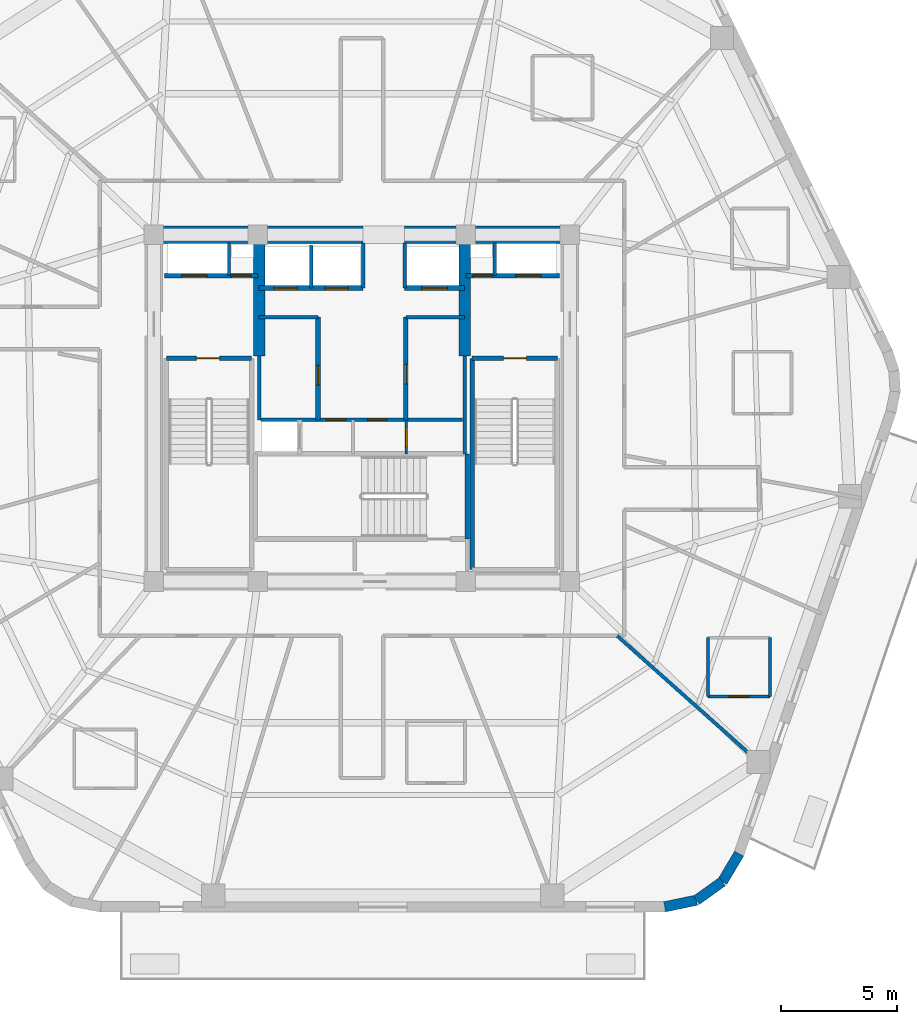
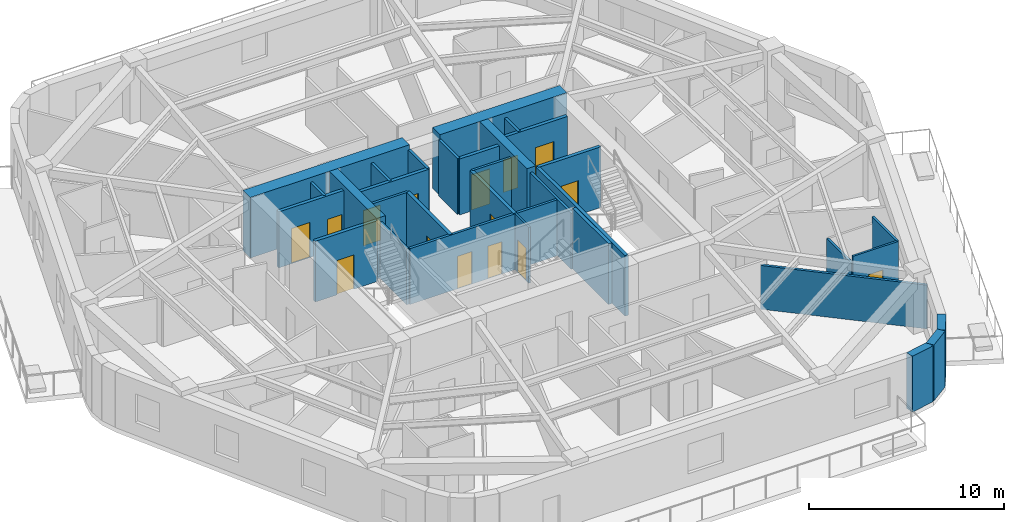
# One storey, part 4 of 9: 32 walls, 15 doors, 15 openings.
"""IFC4 building model written with IfcOpenShell, lengths in metres."""

import ifcopenshell
import ifcopenshell.guid

model = None  # the IFC model being written
_history = None  # IfcOwnerHistory: only IFC2X3 demands one
_inside = {}  # id of a spatial element -> (the spatial element, [elements in it])
_under = {}  # id of a project, library or spatial element -> (it, [spatial elements below it])
_declared = {}  # id of a project -> (the project, [libraries it declares])
_typed = {}  # id of a type object -> (the type object, [elements of that type])
_made_of = {}  # id of a material, layer set ... -> (it, [elements and type objects made of it])


def new_model(schema):
    """Start an empty IFC model of exactly this schema.

    Asked for "IFC4X3", IfcOpenShell would pick the latest addendum, in which some entities
    have other attributes; the version numbers below select the first issue.
    IFC2X3 requires an IfcOwnerHistory on every rooted entity: one is made here for all.
    """
    global model, _history
    if schema == "IFC4X3":
        model = ifcopenshell.file(schema_version=(4, 3, 0, 0))
    else:
        model = ifcopenshell.file(schema=schema)
    _inside.clear()
    _under.clear()
    _declared.clear()
    _typed.clear()
    _made_of.clear()
    _history = None
    if model.schema == "IFC2X3":
        org = make("IfcOrganization", Name="unknown")
        user = make(
            "IfcPersonAndOrganization",
            ThePerson=make("IfcPerson", FamilyName="unknown"),
            TheOrganization=org,
        )
        app = make(
            "IfcApplication",
            ApplicationDeveloper=org,
            Version="unknown",
            ApplicationFullName="unknown",
            ApplicationIdentifier="unknown",
        )
        _history = make(
            "IfcOwnerHistory",
            OwningUser=user,
            OwningApplication=app,
            ChangeAction="ADDED",
            CreationDate=0,
        )
    return model


def make(cls, **values):
    """One entity of the class cls with the attributes given. An attribute that is None is left unset."""
    return model.create_entity(
        cls, **{name: value for name, value in values.items() if value is not None}
    )


def rooted(cls, **values):
    """An entity with a GlobalId (a new one), such as an element, a storey or a relation."""
    return make(cls, GlobalId=ifcopenshell.guid.new(), OwnerHistory=_history, **values)


def si_unit(unit_type, name, prefix=None):
    """IfcSIUnit, for example si_unit("LENGTHUNIT", "METRE", prefix="MILLI")."""
    return make("IfcSIUnit", UnitType=unit_type, Prefix=prefix, Name=name)


def assignment(units):
    """IfcUnitAssignment: the units of a project."""
    return None if units is None else make("IfcUnitAssignment", Units=units)


def point(xyz):
    """IfcCartesianPoint."""
    return None if xyz is None else make("IfcCartesianPoint", Coordinates=xyz)


def direction(xyz):
    """IfcDirection."""
    return None if xyz is None else make("IfcDirection", DirectionRatios=xyz)


def frame(location, z_axis=None, x_axis=None):
    """IfcAxis2Placement3D, a coordinate frame: its origin and axes. An axis left out is left unset."""
    return make(
        "IfcAxis2Placement3D",
        Location=point(location),
        Axis=direction(z_axis),
        RefDirection=direction(x_axis),
    )


def frame_2d(location, x_axis=None):
    """IfcAxis2Placement2D, a coordinate frame in the plane: its origin and x axis."""
    return make(
        "IfcAxis2Placement2D", Location=point(location), RefDirection=direction(x_axis)
    )


def origin():
    """The frame at (0, 0, 0) with its axes left unset."""
    return frame((0.0, 0.0, 0.0))


def place(relative_to, where):
    """IfcLocalPlacement: puts the frame where relative to a parent placement (None: the world)."""
    return make(
        "IfcLocalPlacement", PlacementRelTo=relative_to, RelativePlacement=where
    )


def context(
    kind, dimensions, precision=None, world=None, true_north=None, identifier=None
):
    """IfcGeometricRepresentationContext, for example the 3D "Model" context."""
    return make(
        "IfcGeometricRepresentationContext",
        ContextIdentifier=identifier,
        ContextType=kind,
        CoordinateSpaceDimension=dimensions,
        Precision=precision,
        WorldCoordinateSystem=world,
        TrueNorth=true_north,
    )


def subcontext(parent, identifier, kind, view, scale=None):
    """IfcGeometricRepresentationSubContext, for example "Body" below "Model"."""
    return make(
        "IfcGeometricRepresentationSubContext",
        ContextIdentifier=identifier,
        ContextType=kind,
        ParentContext=parent,
        TargetScale=scale,
        TargetView=view,
    )


def project(units=None, contexts=None):
    """IfcProject with its units and contexts."""
    return rooted(
        "IfcProject",
        Name="project",
        RepresentationContexts=contexts,
        UnitsInContext=assignment(units),
    )


def spatial(cls, under=None, at=None, **own):
    """A site, building, storey or space (cls), placed at a placement, below another one or the project."""
    s = rooted(cls, ObjectPlacement=at, **own)
    if under is not None:
        _under.setdefault(under.id(), (under, []))[1].append(s)
    return s


def profile(cls, at=None, kind="AREA", **sizes):
    """A parametric profile (cls). Its sizes go by their IFC names, for example OverallWidth=200.0."""
    return make(cls, ProfileType=kind, Position=at, **sizes)


def rectangle(**sizes):
    """IfcRectangleProfileDef."""
    return profile("IfcRectangleProfileDef", **sizes)


def extrude(swept, where, along, depth):
    """IfcExtrudedAreaSolid: the profile swept, set in the frame where, extruded along a direction by depth."""
    return make(
        "IfcExtrudedAreaSolid",
        SweptArea=swept,
        Position=where,
        ExtrudedDirection=direction(along),
        Depth=depth,
    )


def shape(context_of_items, identifier, shape_type, items):
    """IfcShapeRepresentation: the items that make up one representation, for example the "Body"."""
    return make(
        "IfcShapeRepresentation",
        ContextOfItems=context_of_items,
        RepresentationIdentifier=identifier,
        RepresentationType=shape_type,
        Items=items,
    )


def material(Name=None, Category=None):
    """IfcMaterial."""
    return make("IfcMaterial", Name=Name, Category=Category)


def layer(
    of_material, thickness, ventilated=None, Name=None, Category=None, Priority=None
):
    """IfcMaterialLayer: one layer of a wall or slab, of a material (None: an air gap)."""
    return make(
        "IfcMaterialLayer",
        Material=of_material,
        LayerThickness=thickness,
        IsVentilated=ventilated,
        Name=Name,
        Category=Category,
        Priority=Priority,
    )


def layer_set(layers, Name=None):
    """IfcMaterialLayerSet."""
    return make("IfcMaterialLayerSet", MaterialLayers=layers, LayerSetName=Name)


def made_of(thing, what):
    """Note that an element or type object is made of a material, layer set ...; save() writes the relation."""
    if what is not None:
        _made_of.setdefault(what.id(), (what, []))[1].append(thing)
    return thing


def type_object(cls, material=None, **own):
    """A type object (cls), such as IfcWallType, which elements share."""
    return made_of(rooted(cls, **own), material)


def element(
    cls,
    number,
    at=None,
    inside=None,
    cuts=None,
    type_object=None,
    material=None,
    context=None,
    identifier="Body",
    shape_type=None,
    held_by="IfcProductDefinitionShape",
    body=None,
    shapes=None,
    **own,
):
    """One element of the class cls, such as IfcWall. Its Tag is "e" and its number.

    at: its placement. inside: the storey or other place that contains it. cuts: it is an
    opening in that element (IfcRelVoidsElement). A single representation is given by context,
    identifier, shape_type and body (its items); several are given by shapes. held_by: the class
    of the entity that holds the representations. save() writes the other relations.
    """
    e = rooted(cls, Tag="e%d" % number, ObjectPlacement=at, **own)
    if body is not None:
        shapes = [shape(context, identifier, shape_type, body)]
    if shapes is not None:
        e.Representation = make(held_by, Representations=shapes)
    if inside is not None:
        _inside.setdefault(inside.id(), (inside, []))[1].append(e)
    if cuts is not None:
        rooted(
            "IfcRelVoidsElement", RelatingBuildingElement=cuts, RelatedOpeningElement=e
        )
    if type_object is not None:
        _typed.setdefault(type_object.id(), (type_object, []))[1].append(e)
    return made_of(e, material)


def fill(opening, filler):
    """IfcRelFillsElement: the door or window that sits in an opening."""
    return rooted(
        "IfcRelFillsElement",
        RelatingOpeningElement=opening,
        RelatedBuildingElement=filler,
    )


def aggregate(whole, parts):
    """IfcRelAggregates: a whole, such as a stair, and the parts it consists of."""
    return rooted("IfcRelAggregates", RelatingObject=whole, RelatedObjects=parts)


def save(model, path):
    """Write the relations noted so far, then the file.

    IfcRelAggregates (storeys below a building ...), IfcRelContainedInSpatialStructure (elements
    in a storey), IfcRelDefinesByType, IfcRelAssociatesMaterial and IfcRelDeclares: one each for
    every whole, place, type object, material and project.
    """
    for whole, parts in _under.values():
        aggregate(whole, parts)
    for where, things in _inside.values():
        rooted(
            "IfcRelContainedInSpatialStructure",
            RelatedElements=things,
            RelatingStructure=where,
        )
    for kind, things in _typed.values():
        rooted("IfcRelDefinesByType", RelatedObjects=things, RelatingType=kind)
    for what, things in _made_of.values():
        rooted("IfcRelAssociatesMaterial", RelatedObjects=things, RelatingMaterial=what)
    for by, libraries in _declared.values():
        rooted("IfcRelDeclares", RelatingContext=by, RelatedDefinitions=libraries)
    model.write(path)


model = new_model("IFC4")

# Units and contexts
model_context = context("Model", 3, precision=1e-05, world=origin(), true_north=direction((0.0, 1.0)))
body_context = subcontext(model_context, "Body", "Model", "MODEL_VIEW")
ifc_project = project(units=[si_unit("LENGTHUNIT", "METRE"), si_unit("AREAUNIT", "SQUARE_METRE"), si_unit("VOLUMEUNIT", "CUBIC_METRE"), si_unit("PLANEANGLEUNIT", "RADIAN"), si_unit("MASSUNIT", "GRAM", prefix="KILO")], contexts=[model_context])

# Site, building, storey
site_placement = place(None, origin())
site = spatial("IfcSite", under=ifc_project, at=site_placement, CompositionType="ELEMENT")
building_placement = place(site_placement, origin())
building = spatial("IfcBuilding", under=site, at=building_placement, Name="Kilnhurst Terrace Hotel", CompositionType="ELEMENT")
storey_placement = place(building_placement, frame((0.0, 0.0, 221.699951171875)))
storey = spatial("IfcBuildingStorey", under=building, at=storey_placement, Name="L55", CompositionType="ELEMENT", Elevation=221.699951171875)

# Walls
ifc_material_1 = material(Name="Precast concrete C40/50", Category="concrete")
ifc_layer_1 = layer(ifc_material_1, 0.449951171875, Name="Precast concrete C40/50")
ifc_layer_set_1 = layer_set([ifc_layer_1], Name="Precast concrete C40/50")
wall_type_1 = type_object("IfcWallType", Name="WL-BRK-450", PredefinedType="SOLIDWALL", material=ifc_layer_set_1)
wall_1_placement = place(storey_placement, frame((13.1015625, -21.574951171875, 0.0), z_axis=(0.0, 0.0, 1.0), x_axis=(0.978757421505, 0.205021730188, 0.0)))
element("IfcWall", 1, at=wall_1_placement, inside=storey, type_object=wall_type_1, Name="L55 Rounded Corner Brick Wall C2.1", PredefinedType="SOLIDWALL", context=body_context, shape_type="SweptSolid", body=[
    extrude(rectangle(XDim=1.40625, YDim=0.449951171875, at=frame_2d((0.703125, 0.0))), origin(), (0.0, 0.0, 1.0), 3.5),
])
wall_2_placement = place(storey_placement, frame((14.47802734375, -21.28662109375, 0.0), z_axis=(0.0, 0.0, 1.0), x_axis=(0.813888518617, 0.58102106611, 0.0)))
element("IfcWall", 2, at=wall_2_placement, inside=storey, type_object=wall_type_1, Name="L55 Rounded Corner Brick Wall C2.2", PredefinedType="SOLIDWALL", context=body_context, shape_type="SweptSolid", body=[
    extrude(rectangle(XDim=1.3828125, YDim=0.449951171875, at=frame_2d((0.69140625, 0.0))), origin(), (0.0, 0.0, 1.0), 3.5),
])
wall_3_placement = place(storey_placement, frame((15.603515625, -20.483154296875, 0.0), z_axis=(0.0, 0.0, 1.0), x_axis=(0.512222149036, 0.858852996756, 0.0)))
element("IfcWall", 3, at=wall_3_placement, inside=storey, type_object=wall_type_1, Name="L55 Rounded Corner Brick Wall C2.3", PredefinedType="SOLIDWALL", context=body_context, shape_type="SweptSolid", body=[
    extrude(rectangle(XDim=1.406494140625, YDim=0.449951171875, at=frame_2d((0.703125, 0.0))), origin(), (0.0, 0.0, 1.0), 3.5),
])
ifc_material_2 = material(Name="Concrete C60/75", Category="concrete")
ifc_layer_2 = layer(ifc_material_2, 0.75, Name="Concrete C60/75")
ifc_layer_set_2 = layer_set([ifc_layer_2], Name="Concrete C60/75")
wall_type_2 = type_object("IfcWallType", Name="WL-CORE-750", PredefinedType="SHEAR", material=ifc_layer_set_2)
wall_4_placement = place(storey_placement, frame((-9.375, 7.5, 0.0), z_axis=(0.0, 0.0, 1.0), x_axis=(1.0, 0.0, 0.0)))
element("IfcWall", 4, at=wall_4_placement, inside=storey, type_object=wall_type_2, Name="L55 Core North West Shear Wall", PredefinedType="SHEAR", context=body_context, shape_type="SweptSolid", body=[
    extrude(rectangle(XDim=9.425048828125, YDim=0.75, at=frame_2d((4.71240234375, 0.0))), origin(), (0.0, 0.0, 1.0), 3.800048828125),
])
wall_5_placement = place(storey_placement, frame((1.85009765625, 7.5, 0.0), z_axis=(0.0, 0.0, 1.0), x_axis=(1.0, 0.0, 0.0)))
element("IfcWall", 5, at=wall_5_placement, inside=storey, type_object=wall_type_2, Name="L55 Core North East Shear Wall", PredefinedType="SHEAR", context=body_context, shape_type="SweptSolid", body=[
    extrude(rectangle(XDim=7.52490234375, YDim=0.75, at=frame_2d((3.762451171875, 0.0))), origin(), (0.0, 0.0, 1.0), 3.800048828125),
])
ifc_layer_3 = layer(ifc_material_2, 0.5, Name="Concrete C60/75")
ifc_layer_set_3 = layer_set([ifc_layer_3], Name="Concrete C60/75")
wall_type_3 = type_object("IfcWallType", Name="WL-CORE-WEB-500", PredefinedType="SHEAR", material=ifc_layer_set_3)
for number, where, z_axis, x_axis, name in (
    (6, (-4.449951171875, 2.25, 0.0), (0.0, 0.0, 1.0), (0.0, 1.0, 0.0), "L55 Core Internal West Shear Web"),
    (7, (4.449951171875, 2.25, 0.0), (0.0, 0.0, 1.0), (0.0, 1.0, 0.0), "L55 Core Internal East Shear Web"),
):
    element("IfcWall", number, at=place(storey_placement, frame(where, z_axis=z_axis, x_axis=x_axis)), inside=storey, type_object=wall_type_3, Name=name, PredefinedType="SHEAR", context=body_context, shape_type="SweptSolid", body=[
        extrude(rectangle(XDim=4.875, YDim=0.5, at=frame_2d((2.4375, 0.0))), origin(), (0.0, 0.0, 1.0), 3.800048828125),
    ])
ifc_material_3 = material(Name="STC-58 Acoustic Twin-Frame Guestroom Demising Partition")
ifc_layer_4 = layer(ifc_material_3, 0.14990234375, Name="STC-58 Acoustic Twin-Frame Guestroom Demising Partition")
ifc_layer_set_4 = layer_set([ifc_layer_4], Name="STC-58 Acoustic Twin-Frame Guestroom Demising Partition")
wall_type_4 = type_object("IfcWallType", Name="WL-DEM-150", PredefinedType="PARTITIONING", material=ifc_layer_set_4)
wall_6_placement = place(storey_placement, frame((11.04833984375, -9.85009765625, 0.0), z_axis=(0.0, 0.0, 1.0), x_axis=(0.746444434655, -0.665447748492, 0.0)))
element("IfcWall", 8, at=wall_6_placement, inside=storey, type_object=wall_type_4, Name="L55 Interior Wall WL-L55-DEM-COL11-16-1", PredefinedType="PARTITIONING", context=body_context, shape_type="SweptSolid", body=[
    extrude(rectangle(XDim=8.732177734375, YDim=0.14990234375, at=frame_2d((4.3662109375, 0.0))), origin(), (0.0, 0.0, 1.0), 2.739990234375),
])

# Wall, opening, door
ifc_material_4 = material(Name="120 mm Moisture-Resistant Tile-Backed Bathroom Partition")
ifc_layer_5 = layer(ifc_material_4, 0.1201171875, Name="120 mm Moisture-Resistant Tile-Backed Bathroom Partition")
ifc_layer_set_5 = layer_set([ifc_layer_5], Name="120 mm Moisture-Resistant Tile-Backed Bathroom Partition")
wall_type_5 = type_object("IfcWallType", Name="WL-PART-120", PredefinedType="PARTITIONING", material=ifc_layer_set_5)
wall_7_placement = place(storey_placement, frame((1.919921875, -1.971923828125, 0.0), z_axis=(0.0, 0.0, 1.0), x_axis=(0.0, 1.0, 0.0)))
wall_7 = element("IfcWall", 9, at=wall_7_placement, inside=storey, type_object=wall_type_5, Name="L55 Interior Wall WL-L55-BOH-C2", PredefinedType="PARTITIONING", context=body_context, shape_type="SweptSolid", body=[
    extrude(rectangle(XDim=1.471923828125, YDim=0.1201171875, at=frame_2d((0.73583984375, 0.0))), origin(), (0.0, 0.0, 1.0), 3.5),
])
opening_1_placement = place(wall_7_placement, frame((0.300048828125, 0.0, 0.0)))
opening_1 = element("IfcOpeningElement", 10, at=opening_1_placement, cuts=wall_7, Name="Opening D-08A", PredefinedType="OPENING", context=body_context, shape_type="SweptSolid", body=[
    extrude(rectangle(XDim=0.85009765625, YDim=2.030029296875, at=frame_2d((0.425048828125, 1.01513671875))), frame((0.0, 0.070068359375, 0.0), z_axis=(0.0, -1.0, 0.0), x_axis=(1.0, 0.0, 0.0)), (0.0, 0.0, 1.0), 0.14013671875),
])
ifc_material_5 = material(Name="Moisture-Resistant Lacquered En-suite Bathroom Door")
door_type_1 = type_object("IfcDoorType", Name="DR-INT-850", OperationType="NOTDEFINED", PredefinedType="DOOR", material=ifc_material_5)
door_1_placement = place(opening_1_placement, origin())
door_1 = element("IfcDoor", 11, at=door_1_placement, inside=storey, type_object=door_type_1, Name="L55 Staff Restroom Door", OperationType="SINGLE_SWING_RIGHT", OverallHeight=2.030029296875, OverallWidth=0.85009765625, PredefinedType="DOOR", context=body_context, shape_type="SweptSolid", body=[
    extrude(rectangle(XDim=0.85009765625, YDim=2.030029296875, at=frame_2d((0.425048828125, 1.01513671875))), frame((0.0, 0.02490234375, 0.0), z_axis=(0.0, -1.0, 0.0), x_axis=(1.0, 0.0, 0.0)), (0.0, 0.0, 1.0), 0.050048828125),
])
fill(opening_1, door_1)

wall_8_placement = place(storey_placement, frame((14.97705078125, -12.468017578125, 0.0), z_axis=(0.0, 0.0, 1.0), x_axis=(1.0, 0.0, 0.0)))
wall_8 = element("IfcWall", 12, at=wall_8_placement, inside=storey, type_object=wall_type_5, Name="L55 Interior Wall WL-L55-BTH-16-1", PredefinedType="PARTITIONING", context=body_context, shape_type="SweptSolid", body=[
    extrude(rectangle(XDim=2.679931640625, YDim=0.1201171875, at=frame_2d((1.33984375, 0.0))), origin(), (0.0, 0.0, 1.0), 3.5),
])
opening_2_placement = place(wall_8_placement, frame((0.9150390625, 0.0, 0.0)))
opening_2 = element("IfcOpeningElement", 13, at=opening_2_placement, cuts=wall_8, Name="Opening D-08A", PredefinedType="OPENING", context=body_context, shape_type="SweptSolid", body=[
    extrude(rectangle(XDim=0.85009765625, YDim=2.030029296875, at=frame_2d((0.425048828125, 1.01513671875))), frame((0.0, 0.070068359375, 0.0), z_axis=(0.0, -1.0, 0.0), x_axis=(1.0, 0.0, 0.0)), (0.0, 0.0, 1.0), 0.14013671875),
])
door_2_placement = place(opening_2_placement, origin())
door_2 = element("IfcDoor", 14, at=door_2_placement, inside=storey, type_object=door_type_1, Name="L55 En-suite Bathroom Door 16", OperationType="SINGLE_SWING_LEFT", OverallHeight=2.030029296875, OverallWidth=0.85009765625, PredefinedType="DOOR", context=body_context, shape_type="SweptSolid", body=[
    extrude(rectangle(XDim=0.85009765625, YDim=2.030029296875, at=frame_2d((0.425048828125, 1.01513671875))), frame((0.0, 0.02490234375, 0.0), z_axis=(0.0, -1.0, 0.0), x_axis=(1.0, 0.0, 0.0)), (0.0, 0.0, 1.0), 0.050048828125),
])
fill(opening_2, door_2)

# Walls
wall_9_placement = place(storey_placement, frame((17.656982421875, -12.468017578125, 0.0), z_axis=(0.0, 0.0, 1.0), x_axis=(0.0, 1.0, 0.0)))
element("IfcWall", 15, at=wall_9_placement, inside=storey, type_object=wall_type_5, Name="L55 Interior Wall WL-L55-BTH-16-2", PredefinedType="PARTITIONING", context=body_context, shape_type="SweptSolid", body=[
    extrude(rectangle(XDim=2.5400390625, YDim=0.1201171875, at=frame_2d((1.27001953125, 0.0))), origin(), (0.0, 0.0, 1.0), 3.5),
])
wall_10_placement = place(storey_placement, frame((14.97705078125, -9.927978515625, 0.0), z_axis=(0.0, 0.0, 1.0), x_axis=(0.0, -1.0, 0.0)))
element("IfcWall", 16, at=wall_10_placement, inside=storey, type_object=wall_type_5, Name="L55 Interior Wall WL-L55-BTH-16-4", PredefinedType="PARTITIONING", context=body_context, shape_type="SweptSolid", body=[
    extrude(rectangle(XDim=2.5400390625, YDim=0.1201171875, at=frame_2d((1.27001953125, 0.0))), origin(), (0.0, 0.0, 1.0), 3.072509765625),
])
ifc_material_6 = material(Name="Fire-Rated Gypsum Shaftliner Assembly")
ifc_layer_6 = layer(ifc_material_6, 0.14990234375, Name="Fire-Rated Gypsum Shaftliner Assembly")
ifc_layer_set_6 = layer_set([ifc_layer_6], Name="Fire-Rated Gypsum Shaftliner Assembly")
wall_type_6 = type_object("IfcWallType", Name="WL-SHAFT-150", PredefinedType="PARTITIONING", material=ifc_layer_set_6)
for number, where, z_axis, x_axis, name in (
    (17, (-5.75, 5.739990234375, 0.0), (0.0, 0.0, 1.0), (0.0, 1.0, 0.0), "L55 Interior Wall WL-L55-RIS1-DIV"),
    (18, (5.75, 5.739990234375, 0.0), (0.0, 0.0, 1.0), (0.0, 1.0, 0.0), "L55 Interior Wall WL-L55-RIS2-DIV"),
):
    element("IfcWall", number, at=place(storey_placement, frame(where, z_axis=z_axis, x_axis=x_axis)), inside=storey, type_object=wall_type_6, Name=name, PredefinedType="PARTITIONING", context=body_context, shape_type="SweptSolid", body=[
        extrude(rectangle(XDim=1.409912109375, YDim=0.14990234375, at=frame_2d((0.705078125, 0.0))), origin(), (0.0, 0.0, 1.0), 3.5),
    ])
wall_11_placement = place(storey_placement, frame((-2.199951171875, 5.199951171875, 0.0), z_axis=(0.0, 0.0, 1.0), x_axis=(0.0, 1.0, 0.0)))
element("IfcWall", 19, at=wall_11_placement, inside=storey, type_object=wall_type_6, Name="L55 Interior Wall WL-L55-HR-DIV1", PredefinedType="PARTITIONING", context=body_context, shape_type="SweptSolid", body=[
    extrude(rectangle(XDim=1.85009765625, YDim=0.14990234375, at=frame_2d((0.925048828125, 0.0))), origin(), (0.0, 0.0, 1.0), 3.5),
])
for number, where, z_axis, x_axis, name in (
    (20, (0.050048828125, 5.199951171875, 0.0), (0.0, 0.0, 1.0), (0.0, 1.0, 0.0), "L55 Interior Wall WL-L55-HR-PORTAL-W"),
    (21, (1.85009765625, 5.199951171875, 0.0), (0.0, 0.0, 1.0), (0.0, 1.0, 0.0), "L55 Interior Wall WL-L55-HR-PORTAL-E"),
):
    element("IfcWall", number, at=place(storey_placement, frame(where, z_axis=z_axis, x_axis=x_axis)), inside=storey, type_object=wall_type_6, Name=name, PredefinedType="PARTITIONING", context=body_context, shape_type="SweptSolid", body=[
        extrude(rectangle(XDim=1.949951171875, YDim=0.14990234375, at=frame_2d((0.97509765625, 0.0))), origin(), (0.0, 0.0, 1.0), 3.5),
    ])
wall_12_placement = place(storey_placement, frame((-4.449951171875, -0.5, 0.0), z_axis=(0.0, 0.0, 1.0), x_axis=(0.0, 1.0, 0.0)))
element("IfcWall", 22, at=wall_12_placement, inside=storey, type_object=wall_type_6, Name="L55 Interior Wall WL-L55-XLOB-W", PredefinedType="PARTITIONING", context=body_context, shape_type="SweptSolid", body=[
    extrude(rectangle(XDim=2.75, YDim=0.14990234375, at=frame_2d((1.375, 0.0))), origin(), (0.0, 0.0, 1.0), 3.5),
])
wall_13_placement = place(storey_placement, frame((4.449951171875, -1.971923828125, 0.0), z_axis=(0.0, 0.0, 1.0), x_axis=(0.0, 1.0, 0.0)))
element("IfcWall", 23, at=wall_13_placement, inside=storey, type_object=wall_type_6, Name="L55 Interior Wall WL-L55-XLOB-E", PredefinedType="PARTITIONING", context=body_context, shape_type="SweptSolid", body=[
    extrude(rectangle(XDim=4.221923828125, YDim=0.14990234375, at=frame_2d((2.11083984375, 0.0))), origin(), (0.0, 0.0, 1.0), 3.5),
])
for number, where, z_axis, x_axis, name in (
    (24, (-4.449951171875, 3.93994140625, 0.0), (0.0, 0.0, 1.0), (1.0, 0.0, 0.0), "L55 Interior Wall WL-L55-LR-NORTH"),
    (25, (1.89990234375, 3.93994140625, 0.0), (0.0, 0.0, 1.0), (1.0, 0.0, 0.0), "L55 Interior Wall WL-L55-MR-NORTH"),
):
    element("IfcWall", number, at=place(storey_placement, frame(where, z_axis=z_axis, x_axis=x_axis)), inside=storey, type_object=wall_type_6, Name=name, PredefinedType="PARTITIONING", context=body_context, shape_type="SweptSolid", body=[
        extrude(rectangle(XDim=2.550048828125, YDim=0.14990234375, at=frame_2d((1.27490234375, 0.0))), origin(), (0.0, 0.0, 1.0), 3.5),
    ])

# Wall, openings, doors
wall_14_placement = place(storey_placement, frame((-4.360107421875, -0.489990234375, 0.0), z_axis=(0.0, 0.0, 1.0), x_axis=(1.0, 0.0, 0.0)))
wall_14 = element("IfcWall", 26, at=wall_14_placement, inside=storey, type_object=wall_type_6, Name="L55 Interior Wall WL-L55-BOH-N", PredefinedType="PARTITIONING", context=body_context, shape_type="SweptSolid", body=[
    extrude(rectangle(XDim=8.72021484375, YDim=0.14990234375, at=frame_2d((4.360107421875, 0.0))), origin(), (0.0, 0.0, 1.0), 3.5),
])
opening_3_placement = place(wall_14_placement, frame((2.81005859375, 0.0, 0.0)))
opening_3 = element("IfcOpeningElement", 27, at=opening_3_placement, cuts=wall_14, Name="Opening D-60D", PredefinedType="OPENING", context=body_context, shape_type="SweptSolid", body=[
    extrude(rectangle(XDim=0.85009765625, YDim=2.030029296875, at=frame_2d((0.425048828125, 1.01513671875))), frame((0.0, 0.0849609375, 0.0), z_axis=(0.0, -1.0, 0.0), x_axis=(1.0, 0.0, 0.0)), (0.0, 0.0, 1.0), 0.169921875),
])
opening_4_placement = place(wall_14_placement, frame((4.610107421875, 0.0, 0.0)))
opening_4 = element("IfcOpeningElement", 28, at=opening_4_placement, cuts=wall_14, Name="Opening D-60D", PredefinedType="OPENING", context=body_context, shape_type="SweptSolid", body=[
    extrude(rectangle(XDim=0.85009765625, YDim=2.030029296875, at=frame_2d((0.425048828125, 1.01513671875))), frame((0.0, 0.0849609375, 0.0), z_axis=(0.0, -1.0, 0.0), x_axis=(1.0, 0.0, 0.0)), (0.0, 0.0, 1.0), 0.169921875),
])
ifc_material_7 = material(Name="Painted Hollow Metal Steel ASTM A36 Riser Door", Category="steel")
door_type_2 = type_object("IfcDoorType", Name="DR-FD60-850", OperationType="NOTDEFINED", PredefinedType="DOOR", material=ifc_material_7)
door_3_placement = place(opening_3_placement, origin())
door_3 = element("IfcDoor", 29, at=door_3_placement, inside=storey, type_object=door_type_2, Name="L55 Housekeeping Station Door", OperationType="SINGLE_SWING_LEFT", OverallHeight=2.030029296875, OverallWidth=0.85009765625, PredefinedType="DOOR", context=body_context, shape_type="SweptSolid", body=[
    extrude(rectangle(XDim=0.85009765625, YDim=2.030029296875, at=frame_2d((0.425048828125, 1.01513671875))), frame((0.0, 0.02490234375, 0.0), z_axis=(0.0, -1.0, 0.0), x_axis=(1.0, 0.0, 0.0)), (0.0, 0.0, 1.0), 0.050048828125),
])
fill(opening_3, door_3)
door_4_placement = place(opening_4_placement, origin())
door_4 = element("IfcDoor", 30, at=door_4_placement, inside=storey, type_object=door_type_2, Name="L55 Beverage Pantry Door", OperationType="SINGLE_SWING_RIGHT", OverallHeight=2.030029296875, OverallWidth=0.85009765625, PredefinedType="DOOR", context=body_context, shape_type="SweptSolid", body=[
    extrude(rectangle(XDim=0.85009765625, YDim=2.030029296875, at=frame_2d((0.425048828125, 1.01513671875))), frame((0.0, 0.02490234375, 0.0), z_axis=(0.0, -1.0, 0.0), x_axis=(1.0, 0.0, 0.0)), (0.0, 0.0, 1.0), 0.050048828125),
])
fill(opening_4, door_4)

ifc_material_8 = material(Name="Autoclaved Aerated Concrete C30/37 and Gypsum Shaft Assembly", Category="concrete")
ifc_layer_7 = layer(ifc_material_8, 0.199951171875, Name="Autoclaved Aerated Concrete C30/37 and Gypsum Shaft Assembly")
ifc_layer_set_7 = layer_set([ifc_layer_7], Name="Autoclaved Aerated Concrete C30/37 and Gypsum Shaft Assembly")
wall_type_7 = type_object("IfcWallType", Name="WL-SHAFT-200", PredefinedType="PARTITIONING", material=ifc_layer_set_7)
wall_15_placement = place(storey_placement, frame((-8.550048828125, 5.739990234375, 0.0), z_axis=(0.0, 0.0, 1.0), x_axis=(1.0, 0.0, 0.0)))
wall_15 = element("IfcWall", 31, at=wall_15_placement, inside=storey, type_object=wall_type_7, Name="L55 Interior Wall WL-L55-FSAE1-S", PredefinedType="PARTITIONING", context=body_context, shape_type="SweptSolid", body=[
    extrude(rectangle(XDim=4.050048828125, YDim=0.199951171875, at=frame_2d((2.02490234375, 0.0))), origin(), (0.0, 0.0, 1.0), 3.5),
])
opening_5_placement = place(wall_15_placement, frame((0.75, 0.0, 0.0)))
opening_5 = element("IfcOpeningElement", 32, at=opening_5_placement, cuts=wall_15, Name="Opening LD-F1", PredefinedType="OPENING", context=body_context, shape_type="SweptSolid", body=[
    extrude(rectangle(XDim=1.10009765625, YDim=2.199951171875, at=frame_2d((0.550048828125, 1.10009765625))), frame((0.0, 0.10986328125, 0.0), z_axis=(0.0, -1.0, 0.0), x_axis=(1.0, 0.0, 0.0)), (0.0, 0.0, 1.0), 0.219970703125),
])
opening_6_placement = place(wall_15_placement, frame((2.89990234375, 0.0, 0.0)))
opening_6 = element("IfcOpeningElement", 33, at=opening_6_placement, cuts=wall_15, Name="Opening D-60D", PredefinedType="OPENING", context=body_context, shape_type="SweptSolid", body=[
    extrude(rectangle(XDim=0.85009765625, YDim=2.030029296875, at=frame_2d((0.425048828125, 1.01513671875))), frame((0.0, 0.10986328125, 0.0), z_axis=(0.0, -1.0, 0.0), x_axis=(1.0, 0.0, 0.0)), (0.0, 0.0, 1.0), 0.219970703125),
])
door_5_placement = place(opening_6_placement, origin())
door_5 = element("IfcDoor", 34, at=door_5_placement, inside=storey, type_object=door_type_2, Name="L55 Electrical Riser Door", OperationType="SINGLE_SWING_LEFT", OverallHeight=2.030029296875, OverallWidth=0.85009765625, PredefinedType="DOOR", context=body_context, shape_type="SweptSolid", body=[
    extrude(rectangle(XDim=0.85009765625, YDim=2.030029296875, at=frame_2d((0.425048828125, 1.01513671875))), frame((0.0, 0.02490234375, 0.0), z_axis=(0.0, -1.0, 0.0), x_axis=(1.0, 0.0, 0.0)), (0.0, 0.0, 1.0), 0.050048828125),
])
fill(opening_6, door_5)
ifc_material_9 = material(Name="Bronze-Anodized Stainless Steel AISI 316L Sliding Door", Category="steel")
door_type_3 = type_object("IfcDoorType", Name="DR-LIFT-1100", OperationType="NOTDEFINED", PredefinedType="DOOR", material=ifc_material_9)
door_6_placement = place(opening_5_placement, origin())
door_6 = element("IfcDoor", 35, at=door_6_placement, inside=storey, type_object=door_type_3, Name="L55 FSAE-1 Landing Door", OperationType="SLIDING_TO_LEFT", OverallHeight=2.199951171875, OverallWidth=1.10009765625, PredefinedType="DOOR", context=body_context, shape_type="SweptSolid", body=[
    extrude(rectangle(XDim=1.10009765625, YDim=2.199951171875, at=frame_2d((0.550048828125, 1.10009765625))), frame((0.0, 0.02490234375, 0.0), z_axis=(0.0, -1.0, 0.0), x_axis=(1.0, 0.0, 0.0)), (0.0, 0.0, 1.0), 0.050048828125),
])
fill(opening_5, door_6)

wall_16_placement = place(storey_placement, frame((4.5, 5.739990234375, 0.0), z_axis=(0.0, 0.0, 1.0), x_axis=(1.0, 0.0, 0.0)))
wall_16 = element("IfcWall", 36, at=wall_16_placement, inside=storey, type_object=wall_type_7, Name="L55 Interior Wall WL-L55-FSAE2-S", PredefinedType="PARTITIONING", context=body_context, shape_type="SweptSolid", body=[
    extrude(rectangle(XDim=4.050048828125, YDim=0.199951171875, at=frame_2d((2.02490234375, 0.0))), origin(), (0.0, 0.0, 1.0), 3.5),
])
opening_7_placement = place(wall_16_placement, frame((0.300048828125, 0.0, 0.0)))
opening_7 = element("IfcOpeningElement", 37, at=opening_7_placement, cuts=wall_16, Name="Opening D-60D", PredefinedType="OPENING", context=body_context, shape_type="SweptSolid", body=[
    extrude(rectangle(XDim=0.85009765625, YDim=2.030029296875, at=frame_2d((0.425048828125, 1.01513671875))), frame((0.0, 0.10986328125, 0.0), z_axis=(0.0, -1.0, 0.0), x_axis=(1.0, 0.0, 0.0)), (0.0, 0.0, 1.0), 0.219970703125),
])
opening_8_placement = place(wall_16_placement, frame((2.14990234375, 0.0, 0.0)))
opening_8 = element("IfcOpeningElement", 38, at=opening_8_placement, cuts=wall_16, Name="Opening LD-F2", PredefinedType="OPENING", context=body_context, shape_type="SweptSolid", body=[
    extrude(rectangle(XDim=1.10009765625, YDim=2.199951171875, at=frame_2d((0.550048828125, 1.10009765625))), frame((0.0, 0.10986328125, 0.0), z_axis=(0.0, -1.0, 0.0), x_axis=(1.0, 0.0, 0.0)), (0.0, 0.0, 1.0), 0.219970703125),
])
door_7_placement = place(opening_7_placement, origin())
door_7 = element("IfcDoor", 39, at=door_7_placement, inside=storey, type_object=door_type_2, Name="L55 Telecom Riser Door", OperationType="SINGLE_SWING_RIGHT", OverallHeight=2.030029296875, OverallWidth=0.85009765625, PredefinedType="DOOR", context=body_context, shape_type="SweptSolid", body=[
    extrude(rectangle(XDim=0.85009765625, YDim=2.030029296875, at=frame_2d((0.425048828125, 1.01513671875))), frame((0.0, 0.02490234375, 0.0), z_axis=(0.0, -1.0, 0.0), x_axis=(1.0, 0.0, 0.0)), (0.0, 0.0, 1.0), 0.050048828125),
])
fill(opening_7, door_7)
door_8_placement = place(opening_8_placement, origin())
door_8 = element("IfcDoor", 40, at=door_8_placement, inside=storey, type_object=door_type_3, Name="L55 FSAE-2 Landing Door", OperationType="SLIDING_TO_RIGHT", OverallHeight=2.199951171875, OverallWidth=1.10009765625, PredefinedType="DOOR", context=body_context, shape_type="SweptSolid", body=[
    extrude(rectangle(XDim=1.10009765625, YDim=2.199951171875, at=frame_2d((0.550048828125, 1.10009765625))), frame((0.0, 0.02490234375, 0.0), z_axis=(0.0, -1.0, 0.0), x_axis=(1.0, 0.0, 0.0)), (0.0, 0.0, 1.0), 0.050048828125),
])
fill(opening_8, door_8)

wall_17_placement = place(storey_placement, frame((-4.449951171875, 5.199951171875, 0.0), z_axis=(0.0, 0.0, 1.0), x_axis=(1.0, 0.0, 0.0)))
wall_17 = element("IfcWall", 41, at=wall_17_placement, inside=storey, type_object=wall_type_7, Name="L55 Interior Wall WL-L55-HR-SW", PredefinedType="PARTITIONING", context=body_context, shape_type="SweptSolid", body=[
    extrude(rectangle(XDim=4.5, YDim=0.199951171875, at=frame_2d((2.25, 0.0))), origin(), (0.0, 0.0, 1.0), 3.5),
])
opening_9_placement = place(wall_17_placement, frame((0.64990234375, 0.0, 0.0)))
opening_9 = element("IfcOpeningElement", 42, at=opening_9_placement, cuts=wall_17, Name="Opening LD-HR", PredefinedType="OPENING", context=body_context, shape_type="SweptSolid", body=[
    extrude(rectangle(XDim=1.0, YDim=2.199951171875, at=frame_2d((0.5, 1.10009765625))), frame((0.0, 0.10986328125, 0.0), z_axis=(0.0, -1.0, 0.0), x_axis=(1.0, 0.0, 0.0)), (0.0, 0.0, 1.0), 0.219970703125),
])
opening_10_placement = place(wall_17_placement, frame((2.85009765625, 0.0, 0.0)))
opening_10 = element("IfcOpeningElement", 43, at=opening_10_placement, cuts=wall_17, Name="Opening LD-HS", PredefinedType="OPENING", context=body_context, shape_type="SweptSolid", body=[
    extrude(rectangle(XDim=1.0, YDim=2.199951171875, at=frame_2d((0.5, 1.10009765625))), frame((0.0, 0.10986328125, 0.0), z_axis=(0.0, -1.0, 0.0), x_axis=(1.0, 0.0, 0.0)), (0.0, 0.0, 1.0), 0.219970703125),
])
door_type_4 = type_object("IfcDoorType", Name="DR-LIFT-1000", OperationType="NOTDEFINED", PredefinedType="DOOR", material=ifc_material_9)
door_9_placement = place(opening_9_placement, origin())
door_9 = element("IfcDoor", 44, at=door_9_placement, inside=storey, type_object=door_type_4, Name="L55 High Rise Lift HR-1 Landing Door", OperationType="SLIDING_TO_LEFT", OverallHeight=2.199951171875, OverallWidth=1.0, PredefinedType="DOOR", context=body_context, shape_type="SweptSolid", body=[
    extrude(rectangle(XDim=1.0, YDim=2.199951171875, at=frame_2d((0.5, 1.10009765625))), frame((0.0, 0.02490234375, 0.0), z_axis=(0.0, -1.0, 0.0), x_axis=(1.0, 0.0, 0.0)), (0.0, 0.0, 1.0), 0.050048828125),
])
fill(opening_9, door_9)
door_10_placement = place(opening_10_placement, origin())
door_10 = element("IfcDoor", 45, at=door_10_placement, inside=storey, type_object=door_type_4, Name="L55 High Rise Lift HR-3 Landing Door", OperationType="SLIDING_TO_RIGHT", OverallHeight=2.199951171875, OverallWidth=1.0, PredefinedType="DOOR", context=body_context, shape_type="SweptSolid", body=[
    extrude(rectangle(XDim=1.0, YDim=2.199951171875, at=frame_2d((0.5, 1.10009765625))), frame((0.0, 0.02490234375, 0.0), z_axis=(0.0, -1.0, 0.0), x_axis=(1.0, 0.0, 0.0)), (0.0, 0.0, 1.0), 0.050048828125),
])
fill(opening_10, door_10)

# Wall, opening, door
wall_18_placement = place(storey_placement, frame((1.85009765625, 5.199951171875, 0.0), z_axis=(0.0, 0.0, 1.0), x_axis=(1.0, 0.0, 0.0)))
wall_18 = element("IfcWall", 46, at=wall_18_placement, inside=storey, type_object=wall_type_7, Name="L55 Interior Wall WL-L55-HR-SE", PredefinedType="PARTITIONING", context=body_context, shape_type="SweptSolid", body=[
    extrude(rectangle(XDim=2.599853515625, YDim=0.199951171875, at=frame_2d((1.2998046875, 0.0))), origin(), (0.0, 0.0, 1.0), 3.5),
])
opening_11_placement = place(wall_18_placement, frame((0.75, 0.0, 0.0)))
opening_11 = element("IfcOpeningElement", 47, at=opening_11_placement, cuts=wall_18, Name="Opening LD-H2", PredefinedType="OPENING", context=body_context, shape_type="SweptSolid", body=[
    extrude(rectangle(XDim=1.10009765625, YDim=2.199951171875, at=frame_2d((0.550048828125, 1.10009765625))), frame((0.0, 0.10986328125, 0.0), z_axis=(0.0, -1.0, 0.0), x_axis=(1.0, 0.0, 0.0)), (0.0, 0.0, 1.0), 0.219970703125),
])
door_11_placement = place(opening_11_placement, origin())
door_11 = element("IfcDoor", 48, at=door_11_placement, inside=storey, type_object=door_type_3, Name="L55 High Rise Lift HR-2 Landing Door", OperationType="SLIDING_TO_RIGHT", OverallHeight=2.199951171875, OverallWidth=1.10009765625, PredefinedType="DOOR", context=body_context, shape_type="SweptSolid", body=[
    extrude(rectangle(XDim=1.10009765625, YDim=2.199951171875, at=frame_2d((0.550048828125, 1.10009765625))), frame((0.0, 0.02490234375, 0.0), z_axis=(0.0, -1.0, 0.0), x_axis=(1.0, 0.0, 0.0)), (0.0, 0.0, 1.0), 0.050048828125),
])
fill(opening_11, door_11)

wall_19_placement = place(storey_placement, frame((-1.89990234375, -0.5, 0.0), z_axis=(0.0, 0.0, 1.0), x_axis=(0.0, 1.0, 0.0)))
wall_19 = element("IfcWall", 49, at=wall_19_placement, inside=storey, type_object=wall_type_7, Name="L55 Interior Wall WL-L55-LR-FRONT", PredefinedType="PARTITIONING", context=body_context, shape_type="SweptSolid", body=[
    extrude(rectangle(XDim=4.43994140625, YDim=0.199951171875, at=frame_2d((2.219970703125, 0.0))), origin(), (0.0, 0.0, 1.0), 3.5),
])
opening_12_placement = place(wall_19_placement, frame((1.5, 0.0, 0.0)))
opening_12 = element("IfcOpeningElement", 50, at=opening_12_placement, cuts=wall_19, Name="Opening D-60D", PredefinedType="OPENING", context=body_context, shape_type="SweptSolid", body=[
    extrude(rectangle(XDim=0.85009765625, YDim=2.030029296875, at=frame_2d((0.425048828125, 1.01513671875))), frame((0.0, 0.10986328125, 0.0), z_axis=(0.0, -1.0, 0.0), x_axis=(1.0, 0.0, 0.0)), (0.0, 0.0, 1.0), 0.219970703125),
])
door_12_placement = place(opening_12_placement, origin())
door_12 = element("IfcDoor", 51, at=door_12_placement, inside=storey, type_object=door_type_2, Name="L55 Reclaimed Linen Room Door", OperationType="SINGLE_SWING_LEFT", OverallHeight=2.030029296875, OverallWidth=0.85009765625, PredefinedType="DOOR", context=body_context, shape_type="SweptSolid", body=[
    extrude(rectangle(XDim=0.85009765625, YDim=2.030029296875, at=frame_2d((0.425048828125, 1.01513671875))), frame((0.0, 0.02490234375, 0.0), z_axis=(0.0, -1.0, 0.0), x_axis=(1.0, 0.0, 0.0)), (0.0, 0.0, 1.0), 0.050048828125),
])
fill(opening_12, door_12)

wall_20_placement = place(storey_placement, frame((1.89990234375, -0.5, 0.0), z_axis=(0.0, 0.0, 1.0), x_axis=(0.0, 1.0, 0.0)))
wall_20 = element("IfcWall", 52, at=wall_20_placement, inside=storey, type_object=wall_type_7, Name="L55 Interior Wall WL-L55-MR-FRONT", PredefinedType="PARTITIONING", context=body_context, shape_type="SweptSolid", body=[
    extrude(rectangle(XDim=4.43994140625, YDim=0.199951171875, at=frame_2d((2.219970703125, 0.0))), origin(), (0.0, 0.0, 1.0), 3.5),
])
opening_13_placement = place(wall_20_placement, frame((1.550048828125, 0.0, 0.0)))
opening_13 = element("IfcOpeningElement", 53, at=opening_13_placement, cuts=wall_20, Name="Opening D-60D", PredefinedType="OPENING", context=body_context, shape_type="SweptSolid", body=[
    extrude(rectangle(XDim=0.85009765625, YDim=2.030029296875, at=frame_2d((0.425048828125, 1.01513671875))), frame((0.0, 0.10986328125, 0.0), z_axis=(0.0, -1.0, 0.0), x_axis=(1.0, 0.0, 0.0)), (0.0, 0.0, 1.0), 0.219970703125),
])
door_13_placement = place(opening_13_placement, origin())
door_13 = element("IfcDoor", 54, at=door_13_placement, inside=storey, type_object=door_type_2, Name="L55 Staff Accessible Restroom Door", OperationType="SINGLE_SWING_RIGHT", OverallHeight=2.030029296875, OverallWidth=0.85009765625, PredefinedType="DOOR", context=body_context, shape_type="SweptSolid", body=[
    extrude(rectangle(XDim=0.85009765625, YDim=2.030029296875, at=frame_2d((0.425048828125, 1.01513671875))), frame((0.0, 0.02490234375, 0.0), z_axis=(0.0, -1.0, 0.0), x_axis=(1.0, 0.0, 0.0)), (0.0, 0.0, 1.0), 0.050048828125),
])
fill(opening_13, door_13)

ifc_material_10 = material(Name="Concrete C50/60", Category="concrete")
ifc_layer_8 = layer(ifc_material_10, 0.199951171875, Name="Concrete C50/60")
ifc_layer_set_8 = layer_set([ifc_layer_8], Name="Concrete C50/60")
wall_type_8 = type_object("IfcWallType", Name="WL-STAIR-RC-200", PredefinedType="SHEAR", material=ifc_layer_set_8)
wall_21_placement = place(storey_placement, frame((-8.4580078125, 2.157958984375, 0.0), z_axis=(0.0, 0.0, 1.0), x_axis=(1.0, 0.0, 0.0)))
wall_21 = element("IfcWall", 55, at=wall_21_placement, inside=storey, type_object=wall_type_8, Name="L55 Structural Stair Shaft Wall WL-L55-ST1-N", PredefinedType="SHEAR", context=body_context, shape_type="SweptSolid", body=[
    extrude(rectangle(XDim=3.68603515625, YDim=0.199951171875, at=frame_2d((1.843017578125, 0.0))), origin(), (0.0, 0.0, 1.0), 3.800048828125),
])
opening_14_placement = place(wall_21_placement, frame((1.300048828125, 0.0, 0.0)))
opening_14 = element("IfcOpeningElement", 56, at=opening_14_placement, cuts=wall_21, Name="Opening D-90B", PredefinedType="OPENING", context=body_context, shape_type="SweptSolid", body=[
    extrude(rectangle(XDim=1.0, YDim=2.14990234375, at=frame_2d((0.5, 1.074951171875))), frame((0.0, 0.10986328125, 0.0), z_axis=(0.0, -1.0, 0.0), x_axis=(1.0, 0.0, 0.0)), (0.0, 0.0, 1.0), 0.219970703125),
])
ifc_material_11 = material(Name="Painted Hollow Metal Steel ASTM A36 Fire Door", Category="steel")
door_type_5 = type_object("IfcDoorType", Name="DR-FD90-1000", OperationType="NOTDEFINED", PredefinedType="DOOR", material=ifc_material_11)
door_14_placement = place(opening_14_placement, origin())
door_14 = element("IfcDoor", 57, at=door_14_placement, inside=storey, type_object=door_type_5, Name="L55 Stair ST-1 Door", OperationType="SINGLE_SWING_LEFT", OverallHeight=2.14990234375, OverallWidth=1.0, PredefinedType="DOOR", context=body_context, shape_type="SweptSolid", body=[
    extrude(rectangle(XDim=1.0, YDim=2.14990234375, at=frame_2d((0.5, 1.074951171875))), frame((0.0, 0.02490234375, 0.0), z_axis=(0.0, -1.0, 0.0), x_axis=(1.0, 0.0, 0.0)), (0.0, 0.0, 1.0), 0.050048828125),
])
fill(opening_14, door_14)

# Wall
wall_22_placement = place(storey_placement, frame((4.77197265625, -6.985107421875, 0.0), z_axis=(0.0, 0.0, 1.0), x_axis=(0.0, 1.0, 0.0)))
element("IfcWall", 58, at=wall_22_placement, inside=storey, type_object=wall_type_8, Name="L55 Structural Stair Shaft Wall WL-L55-ST2-W", PredefinedType="SHEAR", context=body_context, shape_type="SweptSolid", body=[
    extrude(rectangle(XDim=9.14306640625, YDim=0.199951171875, at=frame_2d((4.571533203125, 0.0))), origin(), (0.0, 0.0, 1.0), 3.800048828125),
])

# Wall, opening, door
wall_23_placement = place(storey_placement, frame((4.77197265625, 2.157958984375, 0.0), z_axis=(0.0, 0.0, 1.0), x_axis=(1.0, 0.0, 0.0)))
wall_23 = element("IfcWall", 59, at=wall_23_placement, inside=storey, type_object=wall_type_8, Name="L55 Structural Stair Shaft Wall WL-L55-ST2-N", PredefinedType="SHEAR", context=body_context, shape_type="SweptSolid", body=[
    extrude(rectangle(XDim=3.68603515625, YDim=0.199951171875, at=frame_2d((1.843017578125, 0.0))), origin(), (0.0, 0.0, 1.0), 3.800048828125),
])
opening_15_placement = place(wall_23_placement, frame((1.35009765625, 0.0, 0.0)))
opening_15 = element("IfcOpeningElement", 60, at=opening_15_placement, cuts=wall_23, Name="Opening D-90B", PredefinedType="OPENING", context=body_context, shape_type="SweptSolid", body=[
    extrude(rectangle(XDim=1.0, YDim=2.14990234375, at=frame_2d((0.5, 1.074951171875))), frame((0.0, 0.10986328125, 0.0), z_axis=(0.0, -1.0, 0.0), x_axis=(1.0, 0.0, 0.0)), (0.0, 0.0, 1.0), 0.219970703125),
])
door_15_placement = place(opening_15_placement, origin())
door_15 = element("IfcDoor", 61, at=door_15_placement, inside=storey, type_object=door_type_5, Name="L55 Stair ST-2 Door", OperationType="SINGLE_SWING_RIGHT", OverallHeight=2.14990234375, OverallWidth=1.0, PredefinedType="DOOR", context=body_context, shape_type="SweptSolid", body=[
    extrude(rectangle(XDim=1.0, YDim=2.14990234375, at=frame_2d((0.5, 1.074951171875))), frame((0.0, 0.02490234375, 0.0), z_axis=(0.0, -1.0, 0.0), x_axis=(1.0, 0.0, 0.0)), (0.0, 0.0, 1.0), 0.050048828125),
])
fill(opening_15, door_15)

# Wall
wall_24_placement = place(storey_placement, frame((4.55810546875, -5.657958984375, 0.0), z_axis=(0.0, 0.0, 1.0), x_axis=(0.0, 1.0, 0.0)))
element("IfcWall", 62, at=wall_24_placement, inside=storey, type_object=wall_type_8, Name="L55 Structural Stair Shaft Wall WL-L55-ST3-E", PredefinedType="SHEAR", context=body_context, shape_type="SweptSolid", body=[
    extrude(rectangle(XDim=3.68603515625, YDim=0.199951171875, at=frame_2d((1.843017578125, 0.0))), origin(), (0.0, 0.0, 1.0), 3.800048828125),
])

save(model, "model.ifc")
